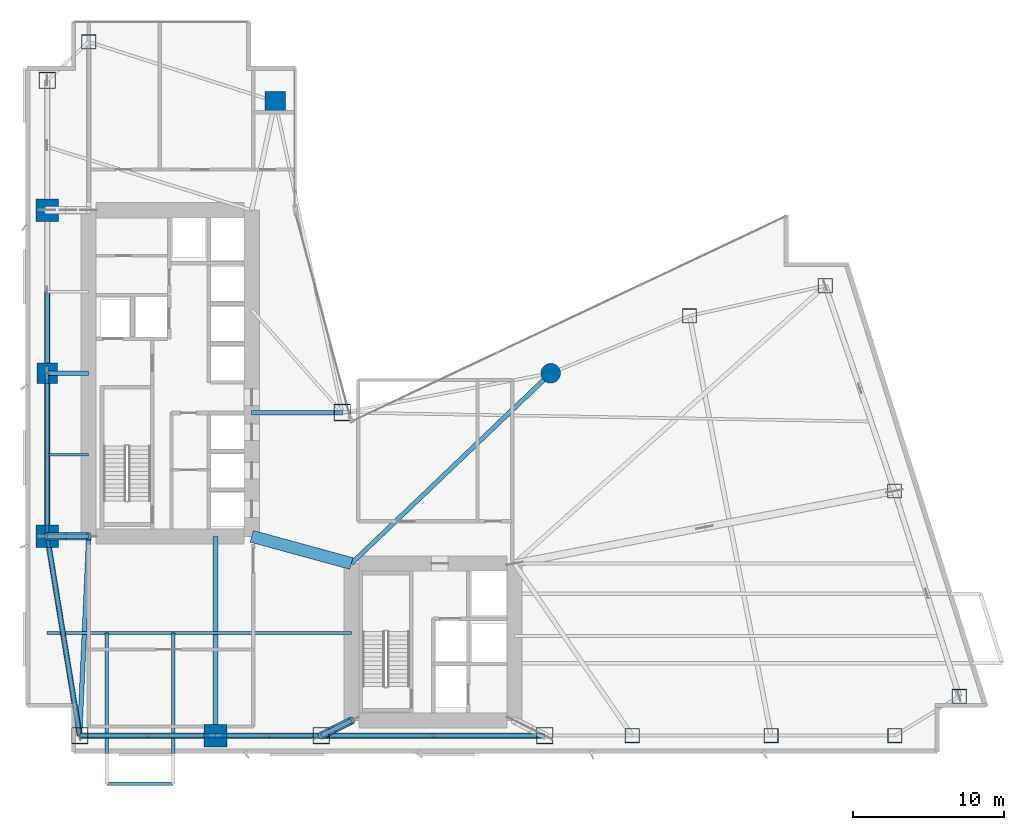
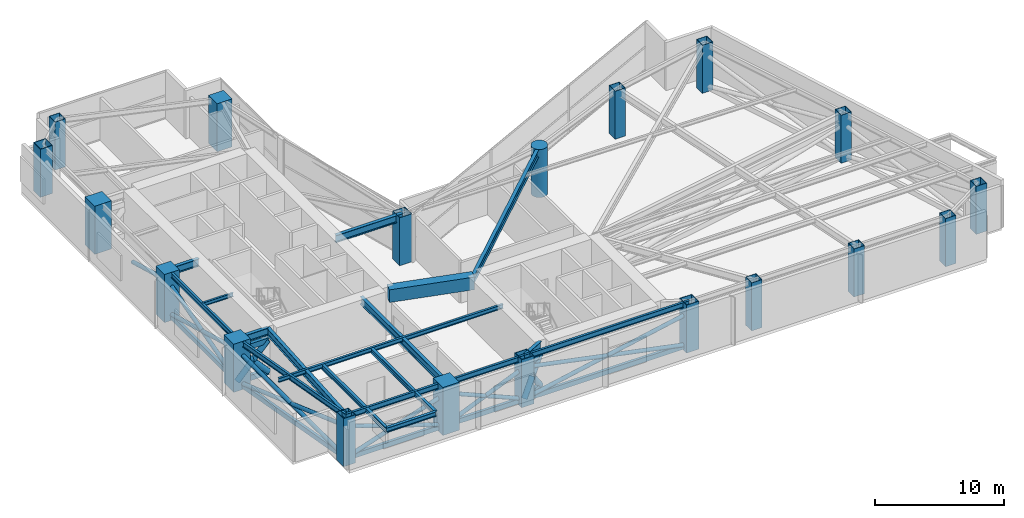
# One storey, part 1 of 18: 31 members, 19 columns, 18 beams.
"""IFC4 building model written with IfcOpenShell, lengths in metres."""

from ifc_helpers import new_model, si_unit, direction, frame, origin, origin_2d, place, context, subcontext, project, spatial, rectangle, hollow_rectangle, circle, hollow_circle, i_section, extrude, material, material_profile, profile_set, type_object, element, save


model = new_model("IFC4")

# Units and contexts
model_context = context("Model", 3, precision=1e-05, world=origin(), true_north=direction((0.0, 1.0)))
body_context = subcontext(model_context, "Body", "Model", "MODEL_VIEW")
ifc_project = project(units=[si_unit("LENGTHUNIT", "METRE"), si_unit("AREAUNIT", "SQUARE_METRE"), si_unit("VOLUMEUNIT", "CUBIC_METRE"), si_unit("PLANEANGLEUNIT", "RADIAN"), si_unit("MASSUNIT", "GRAM", prefix="KILO")], contexts=[model_context])

# Site, building, storey
site_placement = place(None, origin())
site = spatial("IfcSite", under=ifc_project, at=site_placement, CompositionType="ELEMENT")
building_placement = place(site_placement, origin())
building = spatial("IfcBuilding", under=site, at=building_placement, Name="Calvorn Quay Hotel", CompositionType="ELEMENT")
storey_placement = place(building_placement, frame((0.0, 0.0, 46.0)))
storey = spatial("IfcBuildingStorey", under=building, at=storey_placement, Name="L10", CompositionType="ELEMENT", Elevation=46.0)

# Columns
ifc_material_1 = material(Name="Concrete C60", Category="concrete")
ifc_material_profile_1 = material_profile(ifc_material_1, rectangle(XDim=1.35009765625, YDim=1.35009765625, at=origin_2d()), Name="RC1350x1350")
ifc_profile_set_1 = profile_set([ifc_material_profile_1], Name="Concrete C60")
column_type_1 = type_object("IfcColumnType", Name="COL-RC-1350", PredefinedType="COLUMN", material=ifc_profile_set_1)
for number, where, z_axis, x_axis, name in (
    (1, (1.449951171875, 27.60009765625, 0.0), (0.0, 0.0, 1.0), (1.0, 0.0, 0.0), "Column C-W3 (L10)"),
    (2, (16.550048828125, 45.60009765625, 0.0), (0.0, 0.0, 1.0), (1.0, 0.0, 0.0), "Column C-IC1 (L10)"),
):
    element("IfcColumn", number, at=place(storey_placement, frame(where, z_axis=z_axis, x_axis=x_axis)), inside=storey, type_object=column_type_1, Name=name, PredefinedType="COLUMN", context=body_context, shape_type="SweptSolid", body=[
        extrude(rectangle(XDim=1.35009765625, YDim=1.35009765625, at=origin_2d()), origin(), (0.0, 0.0, 1.0), 4.56005859375),
    ])
ifc_material_2 = material(Name="Concrete C60", Category="concrete")
ifc_material_profile_2 = material_profile(ifc_material_2, rectangle(XDim=1.5, YDim=1.5, at=origin_2d()), Name="RC1500x1500")
ifc_profile_set_2 = profile_set([ifc_material_profile_2], Name="Concrete C60")
column_type_2 = type_object("IfcColumnType", Name="COL-RC-1500", PredefinedType="COLUMN", material=ifc_profile_set_2)
for number, where, z_axis, x_axis, name in (
    (3, (1.449951171875, 16.800048828125, 0.0), (0.0, 0.0, 1.0), (1.0, 0.0, 0.0), "Column C-W2 (L10)"),
    (4, (1.449951171875, 38.39990234375, 0.0), (0.0, 0.0, 1.0), (1.0, 0.0, 0.0), "Column C-W4 (L10)"),
    (5, (12.60009765625, 3.60009765625, 0.0), (0.0, 0.0, 1.0), (1.0, 0.0, 0.0), "Column C-S1 (L10)"),
):
    element("IfcColumn", number, at=place(storey_placement, frame(where, z_axis=z_axis, x_axis=x_axis)), inside=storey, type_object=column_type_2, Name=name, PredefinedType="COLUMN", context=body_context, shape_type="SweptSolid", body=[
        extrude(rectangle(XDim=1.5, YDim=1.5, at=origin_2d()), origin(), (0.0, 0.0, 1.0), 4.56005859375),
    ])
ifc_material_3 = material(Name="Concrete C60", Category="concrete")
ifc_material_profile_3 = material_profile(ifc_material_3, circle(Radius=0.64990234375, at=origin_2d()), Name="RCD1300")
ifc_profile_set_3 = profile_set([ifc_material_profile_3], Name="Concrete C60")
column_type_3 = type_object("IfcColumnType", Name="COL-RC-D1300", PredefinedType="COLUMN", material=ifc_profile_set_3)
column_placement = place(storey_placement, frame((34.800048828125, 27.60009765625, 0.0), z_axis=(0.0, 0.0, 1.0), x_axis=(1.0, 0.0, 0.0)))
element("IfcColumn", 6, at=column_placement, inside=storey, type_object=column_type_3, Name="Column C-NC1 (L10)", PredefinedType="COLUMN", context=body_context, shape_type="SweptSolid", body=[
    extrude(circle(Radius=0.64990234375, at=origin_2d()), origin(), (0.0, 0.0, 1.0), 4.56005859375),
])
ifc_material_4 = material(Name="Steel Q420GJC", Category="steel")
ifc_material_profile_4 = material_profile(ifc_material_4, hollow_rectangle(XDim=1.10009765625, YDim=1.10009765625, WallThickness=0.044921875, at=origin_2d()), Name="BOX1100x1100x45")
ifc_profile_set_4 = profile_set([ifc_material_profile_4], Name="Steel Q420GJC")
column_type_4 = type_object("IfcColumnType", Name="COL-STL-MEGA1", PredefinedType="COLUMN", material=ifc_profile_set_4)
for number, where, z_axis, x_axis, name in (
    (7, (3.60009765625, 3.60009765625, 0.0), (0.0, 0.0, 1.0), (1.0, 0.0, 0.0), "Column C-W1 (L10)"),
    (8, (1.449951171875, 47.0, 0.0), (0.0, 0.0, 1.0), (1.0, 0.0, 0.0), "Column C-W5 (L10)"),
    (9, (21.0, 25.0, 0.0), (0.0, 0.0, 1.0), (1.0, 0.0, 0.0), "Column C-IC2 (L10)"),
    (10, (19.60009765625, 3.60009765625, 0.0), (0.0, 0.0, 1.0), (1.0, 0.0, 0.0), "Column C-S2 (L10)"),
    (11, (34.39990234375, 3.60009765625, 0.0), (0.0, 0.0, 1.0), (1.0, 0.0, 0.0), "Column C-S3 (L10)"),
):
    element("IfcColumn", number, at=place(storey_placement, frame(where, z_axis=z_axis, x_axis=x_axis)), inside=storey, type_object=column_type_4, Name=name, PredefinedType="COLUMN", context=body_context, shape_type="SweptSolid", body=[
        extrude(hollow_rectangle(XDim=1.10009765625, YDim=1.10009765625, WallThickness=0.044921875, at=origin_2d()), origin(), (0.0, 0.0, 1.0), 4.56005859375),
    ])
ifc_material_5 = material(Name="Steel Q420GJC", Category="steel")
ifc_material_profile_5 = material_profile(ifc_material_5, hollow_rectangle(XDim=0.949951171875, YDim=0.949951171875, WallThickness=0.0400390625, at=origin_2d()), Name="BOX950x950x40")
ifc_profile_set_5 = profile_set([ifc_material_profile_5], Name="Steel Q420GJC")
column_type_5 = type_object("IfcColumnType", Name="COL-STL-MEGA2", PredefinedType="COLUMN", material=ifc_profile_set_5)
for number, where, z_axis, x_axis, name in (
    (12, (4.199951171875, 49.550048828125, 0.0), (0.0, 0.0, 1.0), (1.0, 0.0, 0.0), "Column C-NW1 (L10)"),
    (13, (40.199951171875, 3.60009765625, 0.0), (0.0, 0.0, 1.0), (1.0, 0.0, 0.0), "Column C-S4 (L10)"),
    (14, (49.39990234375, 3.60009765625, 0.0), (0.0, 0.0, 1.0), (1.0, 0.0, 0.0), "Column C-S5 (L10)"),
    (15, (57.60009765625, 3.60009765625, 0.0), (0.0, 0.0, 1.0), (1.0, 0.0, 0.0), "Column C-S6 (L10)"),
    (16, (44.0, 31.39990234375, 0.0), (0.0, 0.0, 1.0), (1.0, 0.0, 0.0), "Column C-NC2 (L10)"),
    (17, (61.861083984375, 6.199951171875, 0.0), (0.0, 0.0, 1.0), (1.0, 0.0, 0.0), "Column C-ET1 (L10)"),
    (18, (57.575927734375, 19.800048828125, 0.0), (0.0, 0.0, 1.0), (1.0, 0.0, 0.0), "Column C-ET2 (L10)"),
    (19, (52.990966796875, 33.39990234375, 0.0), (0.0, 0.0, 1.0), (1.0, 0.0, 0.0), "Column C-ET3 (L10)"),
):
    element("IfcColumn", number, at=place(storey_placement, frame(where, z_axis=z_axis, x_axis=x_axis)), inside=storey, type_object=column_type_5, Name=name, PredefinedType="COLUMN", context=body_context, shape_type="SweptSolid", body=[
        extrude(hollow_rectangle(XDim=0.949951171875, YDim=0.949951171875, WallThickness=0.0400390625, at=origin_2d()), origin(), (0.0, 0.0, 1.0), 4.56005859375),
    ])

# Beams
ifc_material_6 = material(Name="Steel Q355B", Category="steel")
ifc_material_profile_6 = material_profile(ifc_material_6, i_section(OverallWidth=0.25, OverallDepth=0.449951171875, WebThickness=0.011962890625, FlangeThickness=0.01611328125, FilletRadius=0.01611328125, at=origin_2d()), Name="HN450x250x12x16")
ifc_profile_set_6 = profile_set([ifc_material_profile_6], Name="Steel Q355B")
beam_type_1 = type_object("IfcBeamType", Name="BM-CANT-BALC", PredefinedType="BEAM", material=ifc_profile_set_6)
for number, where, z_axis, x_axis, name in (
    (20, (5.39990234375, 10.39990234375, 4.31494140625), (0.0, -1.0, 0.0), (1.0, 0.0, 0.0), "Cantilever Balcony Beam BCB-L11-2A"),
    (21, (9.800048828125, 10.39990234375, 4.31494140625), (0.0, -1.0, 0.0), (1.0, 0.0, 0.0), "Cantilever Balcony Beam BCB-L11-2B"),
):
    element("IfcBeam", number, at=place(storey_placement, frame(where, z_axis=z_axis, x_axis=x_axis)), inside=storey, type_object=beam_type_1, Name=name, PredefinedType="BEAM", context=body_context, shape_type="SweptSolid", body=[
        extrude(i_section(OverallWidth=0.25, OverallDepth=0.449951171875, WebThickness=0.011962890625, FlangeThickness=0.01611328125, FilletRadius=0.01611328125, at=origin_2d()), origin(), (0.0, 0.0, 1.0), 9.989990234375),
    ])
beam_1_placement = place(storey_placement, frame((5.39990234375, 0.409912109375, 4.31494140625), z_axis=(1.0, 0.0, 0.0), x_axis=(0.0, 1.0, 0.0)))
element("IfcBeam", 22, at=beam_1_placement, inside=storey, type_object=beam_type_1, Name="Beam BCBO-L11-2", PredefinedType="BEAM", context=body_context, shape_type="SweptSolid", body=[
    extrude(i_section(OverallWidth=0.25, OverallDepth=0.449951171875, WebThickness=0.011962890625, FlangeThickness=0.01611328125, FilletRadius=0.01611328125, at=origin_2d()), origin(), (0.0, 0.0, 1.0), 4.400146484375),
])
ifc_material_7 = material(Name="Steel Q390GJC", Category="steel")
ifc_material_profile_7 = material_profile(ifc_material_7, i_section(OverallWidth=0.300048828125, OverallDepth=0.699951171875, WebThickness=0.012939453125, FlangeThickness=0.02392578125, FilletRadius=0.02392578125, at=origin_2d()), Name="HN700x300x13x24")
ifc_profile_set_7 = profile_set([ifc_material_profile_7], Name="Steel Q390GJC")
beam_type_2 = type_object("IfcBeamType", Name="BM-GIRD-MAIN", PredefinedType="BEAM", material=ifc_profile_set_7)
beam_2_placement = place(storey_placement, frame((3.60009765625, 3.60009765625, 4.18994140625), z_axis=(0.045396765494, 0.998969035397, 0.0), x_axis=(-0.998969035397, 0.045396765494, 0.0)))
element("IfcBeam", 23, at=beam_2_placement, inside=storey, type_object=beam_type_2, Name="Beam BG-L10-W0", PredefinedType="BEAM", context=body_context, shape_type="SweptSolid", body=[
    extrude(i_section(OverallWidth=0.300048828125, OverallDepth=0.699951171875, WebThickness=0.012939453125, FlangeThickness=0.02392578125, FilletRadius=0.02392578125, at=origin_2d()), origin(), (0.0, 0.0, 1.0), 13.213623046875),
])
for number, where, z_axis, x_axis, name in (
    (24, (1.449951171875, 16.800048828125, 4.18994140625), (1.0, 0.0, 0.0), (0.0, 1.0, 0.0), "Beam BG-L10-W1"),
    (25, (1.449951171875, 27.60009765625, 4.18994140625), (1.0, 0.0, 0.0), (0.0, 1.0, 0.0), "Beam BG-L10-W2"),
):
    element("IfcBeam", number, at=place(storey_placement, frame(where, z_axis=z_axis, x_axis=x_axis)), inside=storey, type_object=beam_type_2, Name=name, PredefinedType="BEAM", context=body_context, shape_type="SweptSolid", body=[
        extrude(i_section(OverallWidth=0.300048828125, OverallDepth=0.699951171875, WebThickness=0.012939453125, FlangeThickness=0.02392578125, FilletRadius=0.02392578125, at=origin_2d()), origin(), (0.0, 0.0, 1.0), 2.75),
    ])
beam_3_placement = place(storey_placement, frame((21.0, 25.0, 4.18994140625), z_axis=(-1.0, 0.0, 0.0), x_axis=(0.0, -1.0, 0.0)))
element("IfcBeam", 26, at=beam_3_placement, inside=storey, type_object=beam_type_2, Name="Beam BG-L10-W7", PredefinedType="BEAM", context=body_context, shape_type="SweptSolid", body=[
    extrude(i_section(OverallWidth=0.300048828125, OverallDepth=0.699951171875, WebThickness=0.012939453125, FlangeThickness=0.02392578125, FilletRadius=0.02392578125, at=origin_2d()), origin(), (0.0, 0.0, 1.0), 6.0),
])
beam_4_placement = place(storey_placement, frame((12.60009765625, 3.60009765625, 4.18994140625), z_axis=(0.0, 1.0, 0.0), x_axis=(-1.0, 0.0, 0.0)))
element("IfcBeam", 27, at=beam_4_placement, inside=storey, type_object=beam_type_2, Name="Beam BG-L10-S1", PredefinedType="BEAM", context=body_context, shape_type="SweptSolid", body=[
    extrude(i_section(OverallWidth=0.300048828125, OverallDepth=0.699951171875, WebThickness=0.012939453125, FlangeThickness=0.02392578125, FilletRadius=0.02392578125, at=origin_2d()), origin(), (0.0, 0.0, 1.0), 13.199951171875),
])
beam_5_placement = place(storey_placement, frame((19.60009765625, 3.60009765625, 4.18994140625), z_axis=(0.894427191, 0.4472135955, 0.0), x_axis=(-0.4472135955, 0.894427191, 0.0)))
element("IfcBeam", 28, at=beam_5_placement, inside=storey, type_object=beam_type_2, Name="Beam BG-L10-S2", PredefinedType="BEAM", context=body_context, shape_type="SweptSolid", body=[
    extrude(i_section(OverallWidth=0.300048828125, OverallDepth=0.699951171875, WebThickness=0.012939453125, FlangeThickness=0.02392578125, FilletRadius=0.02392578125, at=origin_2d()), origin(), (0.0, 0.0, 1.0), 2.236083984375),
])
beam_6_placement = place(storey_placement, frame((21.60009765625, 15.0, 4.18994140625), z_axis=(0.723351595578, 0.690479883252, 0.0), x_axis=(-0.690479883252, 0.723351595578, 0.0)))
element("IfcBeam", 29, at=beam_6_placement, inside=storey, type_object=beam_type_2, Name="Beam BG-L10-E4", PredefinedType="BEAM", context=body_context, shape_type="SweptSolid", body=[
    extrude(i_section(OverallWidth=0.300048828125, OverallDepth=0.699951171875, WebThickness=0.012939453125, FlangeThickness=0.02392578125, FilletRadius=0.02392578125, at=origin_2d()), origin(), (0.0, 0.0, 1.0), 18.248291015625),
])
ifc_material_8 = material(Name="Steel Q355B", Category="steel")
ifc_material_profile_8 = material_profile(ifc_material_8, i_section(OverallWidth=0.175048828125, OverallDepth=0.35009765625, WebThickness=0.007080078125, FlangeThickness=0.010986328125, FilletRadius=0.013916015625, at=origin_2d()), Name="HN350x175x7x11")
ifc_profile_set_8 = profile_set([ifc_material_profile_8], Name="Steel Q355B")
beam_type_3 = type_object("IfcBeamType", Name="BM-JOIST-SEC", PredefinedType="JOIST", material=ifc_profile_set_8)
beam_7_placement = place(storey_placement, frame((1.449951171875, 22.199951171875, 4.364990234375), z_axis=(1.0, 0.0, 0.0), x_axis=(0.0, 1.0, 0.0)))
element("IfcBeam", 30, at=beam_7_placement, inside=storey, type_object=beam_type_3, Name="Beam BJ-L10-W3", PredefinedType="JOIST", context=body_context, shape_type="SweptSolid", body=[
    extrude(i_section(OverallWidth=0.175048828125, OverallDepth=0.35009765625, WebThickness=0.007080078125, FlangeThickness=0.010986328125, FilletRadius=0.013916015625, at=origin_2d()), origin(), (0.0, 0.0, 1.0), 2.75),
])
ifc_material_9 = material(Name="Steel Q355B", Category="steel")
ifc_material_profile_9 = material_profile(ifc_material_9, i_section(OverallWidth=0.199951171875, OverallDepth=0.39990234375, WebThickness=0.008056640625, FlangeThickness=0.012939453125, FilletRadius=0.01611328125, at=origin_2d()), Name="HN400x200x8x13")
ifc_profile_set_9 = profile_set([ifc_material_profile_9], Name="Steel Q355B")
beam_type_4 = type_object("IfcBeamType", Name="BM-JOIST-TYP", PredefinedType="JOIST", material=ifc_profile_set_9)
beam_8_placement = place(storey_placement, frame((1.449951171875, 10.39990234375, 4.340087890625), z_axis=(1.0, 0.0, 0.0), x_axis=(0.0, 1.0, 0.0)))
element("IfcBeam", 31, at=beam_8_placement, inside=storey, type_object=beam_type_4, Name="Beam BJ-L10-W1", PredefinedType="JOIST", context=body_context, shape_type="SweptSolid", body=[
    extrude(i_section(OverallWidth=0.199951171875, OverallDepth=0.39990234375, WebThickness=0.008056640625, FlangeThickness=0.012939453125, FilletRadius=0.01611328125, at=origin_2d()), origin(), (0.0, 0.0, 1.0), 20.150146484375),
])
ifc_material_10 = material(Name="Concrete C60", Category="concrete")
ifc_material_profile_10 = material_profile(ifc_material_10, rectangle(XDim=0.800048828125, YDim=1.199951171875, at=origin_2d()), Name="RCB800x1200")
ifc_profile_set_10 = profile_set([ifc_material_profile_10], Name="Concrete C60")
beam_type_5 = type_object("IfcBeamType", Name="BM-RC-LINK-800x1200", PredefinedType="BEAM", material=ifc_profile_set_10)
beam_9_placement = place(storey_placement, frame((15.0, 16.800048828125, 3.93994140625), z_axis=(0.964762997686, -0.263120425462, 0.0), x_axis=(0.263120425462, 0.964762997686, 0.0)))
element("IfcBeam", 32, at=beam_9_placement, inside=storey, type_object=beam_type_5, Name="Beam BCL-L10-01", PredefinedType="BEAM", context=body_context, shape_type="SweptSolid", body=[
    extrude(rectangle(XDim=0.800048828125, YDim=1.199951171875, at=origin_2d()), origin(), (0.0, 0.0, 1.0), 6.841064453125),
])
ifc_material_11 = material(Name="Steel Q355B", Category="steel")
ifc_material_profile_11 = material_profile(ifc_material_11, i_section(OverallWidth=0.199951171875, OverallDepth=0.5, WebThickness=0.010009765625, FlangeThickness=0.01611328125, FilletRadius=0.01611328125, at=origin_2d()), Name="HN500x200x10x16")
ifc_profile_set_11 = profile_set([ifc_material_profile_11], Name="Steel Q355B")
beam_type_6 = type_object("IfcBeamType", Name="BM-SPANDREL-Z1", PredefinedType="SPANDREL", material=ifc_profile_set_11)
beam_10_placement = place(storey_placement, frame((3.60009765625, 3.60009765625, 4.2900390625), z_axis=(-0.16077155054, 0.986991645627, 0.0), x_axis=(-0.986991645627, -0.16077155054, 0.0)))
element("IfcBeam", 33, at=beam_10_placement, inside=storey, type_object=beam_type_6, Name="Beam BSP-L10-W1", PredefinedType="SPANDREL", context=body_context, shape_type="SweptSolid", body=[
    extrude(i_section(OverallWidth=0.199951171875, OverallDepth=0.5, WebThickness=0.010009765625, FlangeThickness=0.01611328125, FilletRadius=0.01611328125, at=origin_2d()), origin(), (0.0, 0.0, 1.0), 13.3740234375),
])
beam_11_placement = place(storey_placement, frame((1.449951171875, 16.800048828125, 4.2900390625), z_axis=(0.0, 1.0, 0.0), x_axis=(-1.0, 0.0, 0.0)))
element("IfcBeam", 34, at=beam_11_placement, inside=storey, type_object=beam_type_6, Name="Beam BSP-L10-W2", PredefinedType="SPANDREL", context=body_context, shape_type="SweptSolid", body=[
    extrude(i_section(OverallWidth=0.199951171875, OverallDepth=0.5, WebThickness=0.010009765625, FlangeThickness=0.01611328125, FilletRadius=0.01611328125, at=origin_2d()), origin(), (0.0, 0.0, 1.0), 10.800048828125),
])
beam_12_placement = place(storey_placement, frame((3.60009765625, 3.60009765625, 4.2900390625), z_axis=(1.0, 0.0, 0.0), x_axis=(0.0, 1.0, 0.0)))
element("IfcBeam", 35, at=beam_12_placement, inside=storey, type_object=beam_type_6, Name="Beam BSP-L10-S1", PredefinedType="SPANDREL", context=body_context, shape_type="SweptSolid", body=[
    extrude(i_section(OverallWidth=0.199951171875, OverallDepth=0.5, WebThickness=0.010009765625, FlangeThickness=0.01611328125, FilletRadius=0.01611328125, at=origin_2d()), origin(), (0.0, 0.0, 1.0), 9.0),
])
beam_13_placement = place(storey_placement, frame((12.60009765625, 3.60009765625, 4.2900390625), z_axis=(1.0, 0.0, 0.0), x_axis=(0.0, 1.0, 0.0)))
element("IfcBeam", 36, at=beam_13_placement, inside=storey, type_object=beam_type_6, Name="Beam BSP-L10-S2", PredefinedType="SPANDREL", context=body_context, shape_type="SweptSolid", body=[
    extrude(i_section(OverallWidth=0.199951171875, OverallDepth=0.5, WebThickness=0.010009765625, FlangeThickness=0.01611328125, FilletRadius=0.01611328125, at=origin_2d()), origin(), (0.0, 0.0, 1.0), 7.0),
])
beam_14_placement = place(storey_placement, frame((19.60009765625, 3.60009765625, 4.2900390625), z_axis=(1.0, 0.0, 0.0), x_axis=(0.0, 1.0, 0.0)))
element("IfcBeam", 37, at=beam_14_placement, inside=storey, type_object=beam_type_6, Name="Beam BSP-L10-S3", PredefinedType="SPANDREL", context=body_context, shape_type="SweptSolid", body=[
    extrude(i_section(OverallWidth=0.199951171875, OverallDepth=0.5, WebThickness=0.010009765625, FlangeThickness=0.01611328125, FilletRadius=0.01611328125, at=origin_2d()), origin(), (0.0, 0.0, 1.0), 14.7998046875),
])

# Members
ifc_material_12 = material(Name="Steel Q390GJC", Category="steel")
ifc_material_profile_12 = material_profile(ifc_material_12, hollow_rectangle(XDim=0.25, YDim=0.449951171875, WallThickness=0.01611328125, at=origin_2d()), Name="RHS450x250x16")
ifc_profile_set_12 = profile_set([ifc_material_profile_12], Name="Steel Q390GJC")
member_type_1 = type_object("IfcMemberType", Name="MEM-BELT-CHORD", PredefinedType="CHORD", material=ifc_profile_set_12)
member_1_placement = place(storey_placement, frame((3.60009765625, 3.60009765625, 0.35009765625), z_axis=(-0.16077155054, 0.986991645627, 0.0), x_axis=(-0.986991645627, -0.16077155054, 0.0)))
element("IfcMember", 38, at=member_1_placement, inside=storey, type_object=member_type_1, Name="Belt Truss Chord L10-BW1", PredefinedType="CHORD", context=body_context, shape_type="SweptSolid", body=[
    extrude(hollow_rectangle(XDim=0.25, YDim=0.449951171875, WallThickness=0.01611328125, at=origin_2d()), origin(), (0.0, 0.0, 1.0), 13.3740234375),
])
member_2_placement = place(storey_placement, frame((1.449951171875, 16.800048828125, 0.35009765625), z_axis=(0.0, 1.0, 0.0), x_axis=(-1.0, 0.0, 0.0)))
element("IfcMember", 39, at=member_2_placement, inside=storey, type_object=member_type_1, Name="Belt Truss Chord L10-BW2", PredefinedType="CHORD", context=body_context, shape_type="SweptSolid", body=[
    extrude(hollow_rectangle(XDim=0.25, YDim=0.449951171875, WallThickness=0.01611328125, at=origin_2d()), origin(), (0.0, 0.0, 1.0), 10.800048828125),
])
member_3_placement = place(storey_placement, frame((3.60009765625, 3.60009765625, 0.35009765625), z_axis=(1.0, 0.0, 0.0), x_axis=(0.0, 1.0, 0.0)))
element("IfcMember", 40, at=member_3_placement, inside=storey, type_object=member_type_1, Name="Belt Truss Chord L10-BS1", PredefinedType="CHORD", context=body_context, shape_type="SweptSolid", body=[
    extrude(hollow_rectangle(XDim=0.25, YDim=0.449951171875, WallThickness=0.01611328125, at=origin_2d()), origin(), (0.0, 0.0, 1.0), 9.0),
])
member_4_placement = place(storey_placement, frame((12.60009765625, 3.60009765625, 0.35009765625), z_axis=(1.0, 0.0, 0.0), x_axis=(0.0, 1.0, 0.0)))
element("IfcMember", 41, at=member_4_placement, inside=storey, type_object=member_type_1, Name="Belt Truss Chord L10-BS2", PredefinedType="CHORD", context=body_context, shape_type="SweptSolid", body=[
    extrude(hollow_rectangle(XDim=0.25, YDim=0.449951171875, WallThickness=0.01611328125, at=origin_2d()), origin(), (0.0, 0.0, 1.0), 7.0),
])
member_5_placement = place(storey_placement, frame((19.60009765625, 3.60009765625, 0.35009765625), z_axis=(1.0, 0.0, 0.0), x_axis=(0.0, 1.0, 0.0)))
element("IfcMember", 42, at=member_5_placement, inside=storey, type_object=member_type_1, Name="Belt Truss Chord L10-BS3", PredefinedType="CHORD", context=body_context, shape_type="SweptSolid", body=[
    extrude(hollow_rectangle(XDim=0.25, YDim=0.449951171875, WallThickness=0.01611328125, at=origin_2d()), origin(), (0.0, 0.0, 1.0), 14.7998046875),
])
ifc_material_13 = material(Name="Steel Q390GJC", Category="steel")
ifc_material_profile_13 = material_profile(ifc_material_13, hollow_circle(Radius=0.177978515625, WallThickness=0.013916015625, at=origin_2d()), Name="CHS356x14")
ifc_profile_set_13 = profile_set([ifc_material_profile_13], Name="Steel Q390GJC")
member_type_2 = type_object("IfcMemberType", Name="MEM-BELT-DIAG", PredefinedType="BRACE", material=ifc_profile_set_13)
member_6_placement = place(storey_placement, frame((3.60009765625, 3.60009765625, 0.35009765625), z_axis=(-0.156898242123, 0.963213041541, 0.21818244252), x_axis=(-0.986991645627, -0.16077155054, 0.0)))
element("IfcMember", 43, at=member_6_placement, inside=storey, type_object=member_type_2, Name="Belt Truss Continuous Brace L10-BW1A", PredefinedType="BRACE", context=body_context, shape_type="SweptSolid", body=[
    extrude(hollow_circle(Radius=0.177978515625, WallThickness=0.013916015625, at=origin_2d()), origin(), (0.0, 0.0, 1.0), 13.7041015625),
])
for number, where, z_axis, x_axis, name in (
    (44, (3.60009765625, 3.60009765625, 3.340087890625), (-0.156917701365, 0.963205318118, -0.21820254386), (-0.986988276812, -0.160792230647, 0.0), "Belt Truss Split Brace B1 L10-BW1"),
    (45, (2.52490234375, 10.199951171875, 1.844970703125), (-0.156878783156, 0.96322076399, -0.218162341419), (-0.986995013907, -0.160750870986, 0.0), "Belt Truss Split Brace B2 L10-BW1"),
):
    element("IfcMember", number, at=place(storey_placement, frame(where, z_axis=z_axis, x_axis=x_axis)), inside=storey, type_object=member_type_2, Name=name, PredefinedType="BRACE", context=body_context, shape_type="SweptSolid", body=[
        extrude(hollow_circle(Radius=0.177978515625, WallThickness=0.013916015625, at=origin_2d()), origin(), (0.0, 0.0, 1.0), 6.85205078125),
    ])
member_7_placement = place(storey_placement, frame((1.449951171875, 16.800048828125, 0.35009765625), z_axis=(0.0, 0.963748208979, 0.266813398634), x_axis=(-1.0, 0.0, 0.0)))
element("IfcMember", 46, at=member_7_placement, inside=storey, type_object=member_type_2, Name="Belt Truss Continuous Brace L10-BW2A", PredefinedType="BRACE", context=body_context, shape_type="SweptSolid", body=[
    extrude(hollow_circle(Radius=0.177978515625, WallThickness=0.013916015625, at=origin_2d()), origin(), (0.0, 0.0, 1.0), 11.206298828125),
])
member_8_placement = place(storey_placement, frame((1.449951171875, 16.800048828125, 3.340087890625), z_axis=(0.0, 0.963741055512, -0.266839236095), x_axis=(-1.0, 0.0, 0.0)))
element("IfcMember", 47, at=member_8_placement, inside=storey, type_object=member_type_2, Name="Belt Truss Split Brace B1 L10-BW2", PredefinedType="BRACE", context=body_context, shape_type="SweptSolid", body=[
    extrude(hollow_circle(Radius=0.177978515625, WallThickness=0.013916015625, at=origin_2d()), origin(), (0.0, 0.0, 1.0), 5.60302734375),
])
member_9_placement = place(storey_placement, frame((1.449951171875, 22.199951171875, 1.844970703125), z_axis=(0.0, 0.963755361535, -0.266787561765), x_axis=(-1.0, 0.0, 0.0)))
element("IfcMember", 48, at=member_9_placement, inside=storey, type_object=member_type_2, Name="Belt Truss Split Brace B2 L10-BW2", PredefinedType="BRACE", context=body_context, shape_type="SweptSolid", body=[
    extrude(hollow_circle(Radius=0.177978515625, WallThickness=0.013916015625, at=origin_2d()), origin(), (0.0, 0.0, 1.0), 5.603271484375),
])
member_10_placement = place(storey_placement, frame((1.449951171875, 27.60009765625, 3.340087890625), z_axis=(0.0, 0.963741055512, -0.266839236095), x_axis=(-1.0, 0.0, 0.0)))
element("IfcMember", 49, at=member_10_placement, inside=storey, type_object=member_type_2, Name="Belt Truss Split Brace B1 L10-BW3", PredefinedType="BRACE", context=body_context, shape_type="SweptSolid", body=[
    extrude(hollow_circle(Radius=0.177978515625, WallThickness=0.013916015625, at=origin_2d()), origin(), (0.0, 0.0, 1.0), 5.60302734375),
])
member_11_placement = place(storey_placement, frame((3.60009765625, 3.60009765625, 0.35009765625), z_axis=(0.948999464539, 0.0, 0.315277681267), x_axis=(0.0, 1.0, 0.0)))
element("IfcMember", 50, at=member_11_placement, inside=storey, type_object=member_type_2, Name="Belt Truss Continuous Brace L10-BS1A", PredefinedType="BRACE", context=body_context, shape_type="SweptSolid", body=[
    extrude(hollow_circle(Radius=0.177978515625, WallThickness=0.013916015625, at=origin_2d()), origin(), (0.0, 0.0, 1.0), 9.483642578125),
])
member_12_placement = place(storey_placement, frame((3.60009765625, 3.60009765625, 3.340087890625), z_axis=(0.948991761978, 0.0, -0.315300865362), x_axis=(0.0, 1.0, 0.0)))
element("IfcMember", 51, at=member_12_placement, inside=storey, type_object=member_type_2, Name="Belt Truss Split Brace B1 L10-BS1", PredefinedType="BRACE", context=body_context, shape_type="SweptSolid", body=[
    extrude(hollow_circle(Radius=0.177978515625, WallThickness=0.013916015625, at=origin_2d()), origin(), (0.0, 0.0, 1.0), 4.741943359375),
])
member_13_placement = place(storey_placement, frame((8.10009765625, 3.60009765625, 1.844970703125), z_axis=(0.949007166659, 0.0, -0.315254496606), x_axis=(0.0, 1.0, 0.0)))
element("IfcMember", 52, at=member_13_placement, inside=storey, type_object=member_type_2, Name="Belt Truss Split Brace B2 L10-BS1", PredefinedType="BRACE", context=body_context, shape_type="SweptSolid", body=[
    extrude(hollow_circle(Radius=0.177978515625, WallThickness=0.013916015625, at=origin_2d()), origin(), (0.0, 0.0, 1.0), 4.74169921875),
])
member_14_placement = place(storey_placement, frame((12.60009765625, 3.60009765625, 0.35009765625), z_axis=(0.91962048889, 0.0, 0.392808040159), x_axis=(0.0, 1.0, 0.0)))
element("IfcMember", 53, at=member_14_placement, inside=storey, type_object=member_type_2, Name="Belt Truss Continuous Brace L10-BS2A", PredefinedType="BRACE", context=body_context, shape_type="SweptSolid", body=[
    extrude(hollow_circle(Radius=0.177978515625, WallThickness=0.013916015625, at=origin_2d()), origin(), (0.0, 0.0, 1.0), 7.61181640625),
])
for number, where, z_axis, x_axis, name in (
    (54, (12.60009765625, 3.60009765625, 3.340087890625), (0.919608902472, 0.0, -0.392835164533), (0.0, 1.0, 0.0), "Belt Truss Split Brace B1 L10-BS2"),
    (55, (16.10009765625, 3.60009765625, 1.844970703125), (0.9196320748, 0.0, -0.39278091476), (0.0, 1.0, 0.0), "Belt Truss Split Brace B2 L10-BS2"),
):
    element("IfcMember", number, at=place(storey_placement, frame(where, z_axis=z_axis, x_axis=x_axis)), inside=storey, type_object=member_type_2, Name=name, PredefinedType="BRACE", context=body_context, shape_type="SweptSolid", body=[
        extrude(hollow_circle(Radius=0.177978515625, WallThickness=0.013916015625, at=origin_2d()), origin(), (0.0, 0.0, 1.0), 3.805908203125),
    ])
member_15_placement = place(storey_placement, frame((19.60009765625, 3.60009765625, 0.35009765625), z_axis=(0.980196339569, 0.0, 0.198028118949), x_axis=(0.0, 1.0, 0.0)))
element("IfcMember", 56, at=member_15_placement, inside=storey, type_object=member_type_2, Name="Belt Truss Continuous Brace L10-BS3A", PredefinedType="BRACE", context=body_context, shape_type="SweptSolid", body=[
    extrude(hollow_circle(Radius=0.177978515625, WallThickness=0.013916015625, at=origin_2d()), origin(), (0.0, 0.0, 1.0), 15.098876953125),
])
for number, where, z_axis, x_axis, name in (
    (57, (19.60009765625, 3.60009765625, 3.340087890625), (0.980193200848, 0.0, -0.198043654305), (0.0, 1.0, 0.0), "Belt Truss Split Brace B1 L10-BS3"),
    (58, (27.0, 3.60009765625, 1.844970703125), (0.980199478064, 0.0, -0.198012583444), (0.0, 1.0, 0.0), "Belt Truss Split Brace B2 L10-BS3"),
):
    element("IfcMember", number, at=place(storey_placement, frame(where, z_axis=z_axis, x_axis=x_axis)), inside=storey, type_object=member_type_2, Name=name, PredefinedType="BRACE", context=body_context, shape_type="SweptSolid", body=[
        extrude(hollow_circle(Radius=0.177978515625, WallThickness=0.013916015625, at=origin_2d()), origin(), (0.0, 0.0, 1.0), 7.54931640625),
    ])
ifc_material_14 = material(Name="Steel Q390GJC", Category="steel")
ifc_material_profile_14 = material_profile(ifc_material_14, hollow_rectangle(XDim=0.300048828125, YDim=0.5, WallThickness=0.02001953125, at=origin_2d()), Name="RHS500x300x20")
ifc_profile_set_14 = profile_set([ifc_material_profile_14], Name="Steel Q390GJC")
member_type_3 = type_object("IfcMemberType", Name="MEM-OUTRIGGER-CHORD", PredefinedType="CHORD", material=ifc_profile_set_14)
for number, where, z_axis, x_axis, name in (
    (59, (4.199951171875, 16.800048828125, 3.340087890625), (-1.0, 0.0, 0.0), (0.0, -1.0, 0.0), "Outrigger Top Chord L10-OW1"),
    (60, (4.199951171875, 16.800048828125, 0.35009765625), (-1.0, 0.0, 0.0), (0.0, -1.0, 0.0), "Outrigger Bottom Chord L10-OW1"),
):
    element("IfcMember", number, at=place(storey_placement, frame(where, z_axis=z_axis, x_axis=x_axis)), inside=storey, type_object=member_type_3, Name=name, PredefinedType="CHORD", context=body_context, shape_type="SweptSolid", body=[
        extrude(hollow_rectangle(XDim=0.300048828125, YDim=0.5, WallThickness=0.02001953125, at=origin_2d()), origin(), (0.0, 0.0, 1.0), 2.75),
    ])
for number, where, z_axis, x_axis, name in (
    (61, (21.60009765625, 4.60009765625, 3.340087890625), (-0.894427191, -0.4472135955, 0.0), (0.4472135955, -0.894427191, 0.0), "Outrigger Top Chord L10-OE1"),
    (62, (21.60009765625, 4.60009765625, 0.35009765625), (-0.894427191, -0.4472135955, 0.0), (0.4472135955, -0.894427191, 0.0), "Outrigger Bottom Chord L10-OE1"),
):
    element("IfcMember", number, at=place(storey_placement, frame(where, z_axis=z_axis, x_axis=x_axis)), inside=storey, type_object=member_type_3, Name=name, PredefinedType="CHORD", context=body_context, shape_type="SweptSolid", body=[
        extrude(hollow_rectangle(XDim=0.300048828125, YDim=0.5, WallThickness=0.02001953125, at=origin_2d()), origin(), (0.0, 0.0, 1.0), 2.236083984375),
    ])
ifc_material_15 = material(Name="Steel Q390GJC", Category="steel")
ifc_material_profile_15 = material_profile(ifc_material_15, hollow_circle(Radius=0.25, WallThickness=0.02001953125, at=origin_2d()), Name="CHS500x20")
ifc_profile_set_15 = profile_set([ifc_material_profile_15], Name="Steel Q390GJC")
member_type_4 = type_object("IfcMemberType", Name="MEM-OUTRIGGER-DIAG1", PredefinedType="BRACE", material=ifc_profile_set_15)
member_16_placement = place(storey_placement, frame((4.199951171875, 16.800048828125, 0.35009765625), z_axis=(-0.67695106482, 0.0, 0.736028026531), x_axis=(0.0, -1.0, 0.0)))
element("IfcMember", 63, at=member_16_placement, inside=storey, type_object=member_type_4, Name="Outrigger Continuous Diagonal L10-OW1", PredefinedType="BRACE", context=body_context, shape_type="SweptSolid", body=[
    extrude(hollow_circle(Radius=0.25, WallThickness=0.02001953125, at=origin_2d()), origin(), (0.0, 0.0, 1.0), 4.062255859375),
])
member_17_placement = place(storey_placement, frame((4.199951171875, 16.800048828125, 3.340087890625), z_axis=(-0.67692112114, 0.0, -0.736055565671), x_axis=(0.0, -1.0, 0.0)))
element("IfcMember", 64, at=member_17_placement, inside=storey, type_object=member_type_4, Name="Outrigger Split Diagonal A L10-OW1", PredefinedType="BRACE", context=body_context, shape_type="SweptSolid", body=[
    extrude(hollow_circle(Radius=0.25, WallThickness=0.02001953125, at=origin_2d()), origin(), (0.0, 0.0, 1.0), 2.03125),
])
member_18_placement = place(storey_placement, frame((2.824951171875, 16.800048828125, 1.844970703125), z_axis=(-0.676981010029, 0.0, -0.736000483737), x_axis=(0.0, -1.0, 0.0)))
element("IfcMember", 65, at=member_18_placement, inside=storey, type_object=member_type_4, Name="Outrigger Split Diagonal B L10-OW1", PredefinedType="BRACE", context=body_context, shape_type="SweptSolid", body=[
    extrude(hollow_circle(Radius=0.25, WallThickness=0.02001953125, at=origin_2d()), origin(), (0.0, 0.0, 1.0), 2.031005859375),
])
member_19_placement = place(storey_placement, frame((21.60009765625, 4.60009765625, 0.35009765625), z_axis=(-0.535670784695, -0.267835392348, 0.800825207539), x_axis=(0.4472135955, -0.894427191, 0.0)))
element("IfcMember", 66, at=member_19_placement, inside=storey, type_object=member_type_4, Name="Outrigger Continuous Diagonal L10-OE1", PredefinedType="BRACE", context=body_context, shape_type="SweptSolid", body=[
    extrude(hollow_circle(Radius=0.25, WallThickness=0.02001953125, at=origin_2d()), origin(), (0.0, 0.0, 1.0), 3.733642578125),
])
member_20_placement = place(storey_placement, frame((21.60009765625, 4.60009765625, 3.340087890625), z_axis=(-0.535642735053, -0.267821367526, -0.800848659537), x_axis=(0.4472135955, -0.894427191, 0.0)))
element("IfcMember", 67, at=member_20_placement, inside=storey, type_object=member_type_4, Name="Outrigger Split Diagonal A L10-OE1", PredefinedType="BRACE", context=body_context, shape_type="SweptSolid", body=[
    extrude(hollow_circle(Radius=0.25, WallThickness=0.02001953125, at=origin_2d()), origin(), (0.0, 0.0, 1.0), 1.866943359375),
])
member_21_placement = place(storey_placement, frame((20.60009765625, 4.10009765625, 1.844970703125), z_axis=(-0.535698836454, -0.267849418227, -0.800801751857), x_axis=(0.4472135955, -0.894427191, 0.0)))
element("IfcMember", 68, at=member_21_placement, inside=storey, type_object=member_type_4, Name="Outrigger Split Diagonal B L10-OE1", PredefinedType="BRACE", context=body_context, shape_type="SweptSolid", body=[
    extrude(hollow_circle(Radius=0.25, WallThickness=0.02001953125, at=origin_2d()), origin(), (0.0, 0.0, 1.0), 1.86669921875),
])

save(model, "model.ifc")
